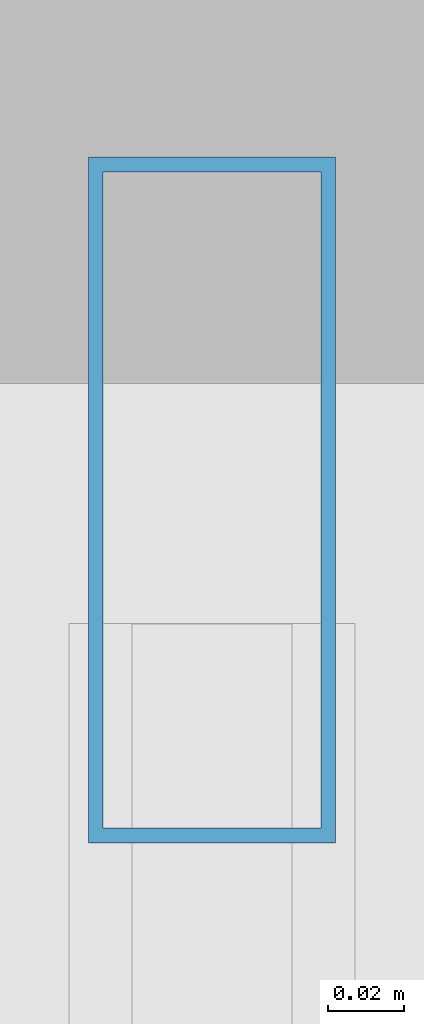
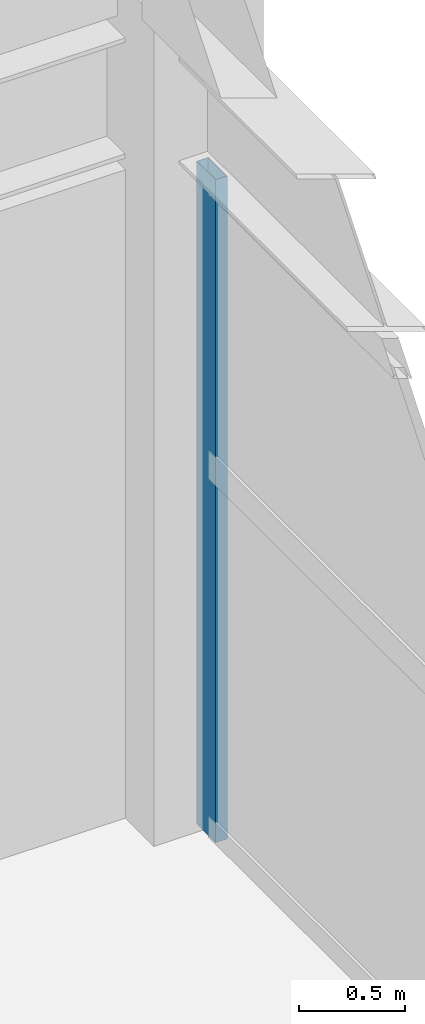
# One storey, part 50 of 80: 1 member, 1 element without a shape of its own.
"""IFC4 building model written with IfcOpenShell, lengths in metres."""

from ifc_helpers import new_model, si_unit, direction, frame, origin, origin_2d, place, context, subcontext, project, spatial, hollow_rectangle, extrude, material, layer, layer_set, material_profile, profile_set, type_object, element, aggregate, save


model = new_model("IFC4")

# Units and contexts
model_context = context("Model", 3, precision=1e-05, world=origin(), true_north=direction((0.0, 1.0)))
body_context = subcontext(model_context, "Body", "Model", "MODEL_VIEW")
ifc_project = project(units=[si_unit("LENGTHUNIT", "METRE"), si_unit("AREAUNIT", "SQUARE_METRE"), si_unit("VOLUMEUNIT", "CUBIC_METRE"), si_unit("PLANEANGLEUNIT", "RADIAN"), si_unit("MASSUNIT", "GRAM", prefix="KILO")], contexts=[model_context])

# Site, building, storey
site_placement = place(None, origin())
site = spatial("IfcSite", under=ifc_project, at=site_placement, CompositionType="ELEMENT")
building_placement = place(site_placement, origin())
building = spatial("IfcBuilding", under=site, at=building_placement, Name="Vaelkrest Opera House", CompositionType="ELEMENT")
storey_placement = place(building_placement, frame((0.0, 0.0, 15.0)))
storey = spatial("IfcBuildingStorey", under=building, at=storey_placement, Name="L03", CompositionType="ELEMENT", Elevation=15.0)

# Curtain wall, member
ifc_material = material(Name="Dark bronze anodized aluminium", Category="aluminium")
ifc_layer = layer(ifc_material, 0.219970703125)
ifc_layer_set = layer_set([ifc_layer], Name="Dark bronze anodized aluminium")
curtain_wall_type = type_object("IfcCurtainWallType", Name="CW05", PredefinedType="NOTDEFINED", material=ifc_layer_set)
curtain_wall_placement = place(storey_placement, origin())
curtain_wall = element("IfcCurtainWall", 1, at=curtain_wall_placement, inside=storey, type_object=curtain_wall_type, Name="Curtain wall CW-L03-167", PredefinedType="NOTDEFINED")
ifc_material_profile = material_profile(ifc_material, hollow_rectangle(XDim=0.06494140625, YDim=0.179931640625, WallThickness=0.00390625, at=origin_2d()), Name="CWM65X180")
ifc_profile_set = profile_set([ifc_material_profile], Name="Dark bronze anodized aluminium")
member_type = type_object("IfcMemberType", Name="CWM01", PredefinedType="MULLION", material=ifc_profile_set)
member_placement = place(storey_placement, frame((77.60009765625, 24.719482421875, 0.0), z_axis=(0.0, 0.0, 1.0), x_axis=(1.0, 0.0, 0.0)))
member = element("IfcMember", 2, at=member_placement, type_object=member_type, Name="CW05 mullion 1", PredefinedType="MULLION", context=body_context, shape_type="SweptSolid", body=[
    extrude(hollow_rectangle(XDim=0.06494140625, YDim=0.179931640625, WallThickness=0.00390625, at=origin_2d()), origin(), (0.0, 0.0, 1.0), 3.8291015625),
])
aggregate(curtain_wall, [member])

save(model, "model.ifc")
